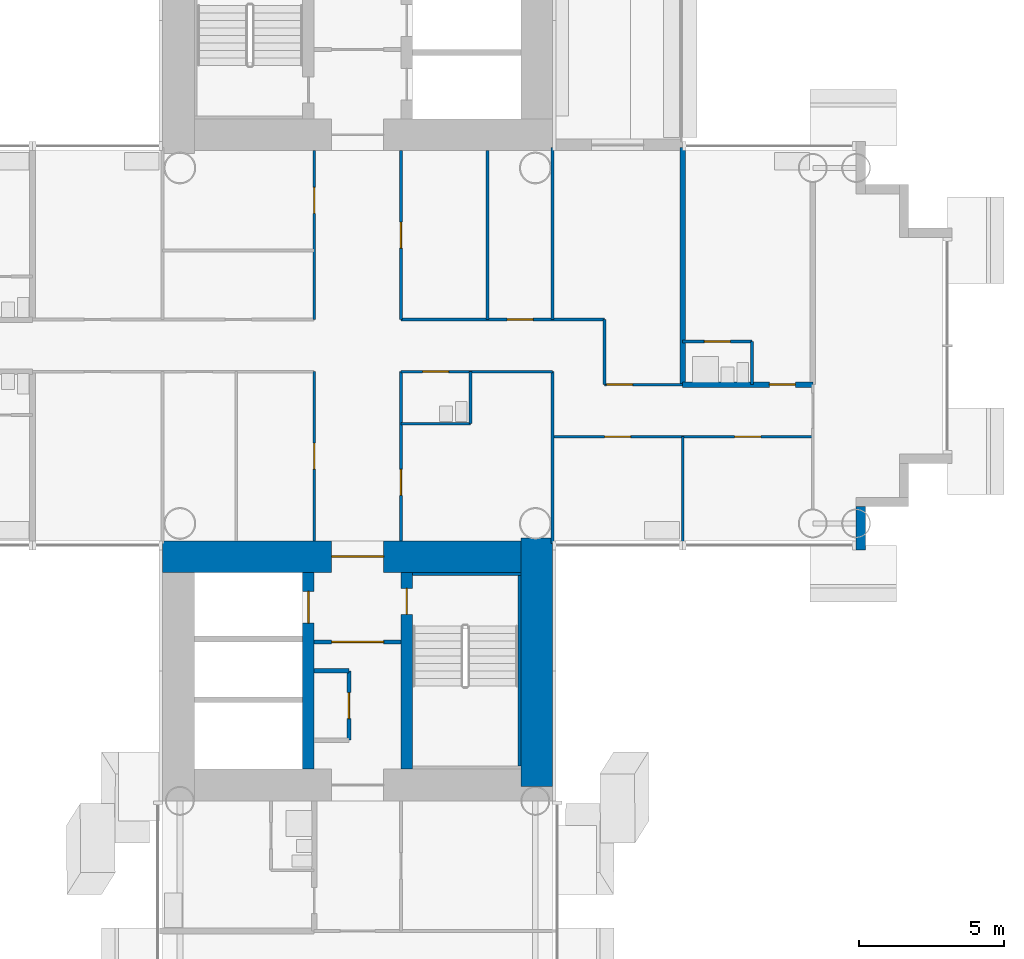
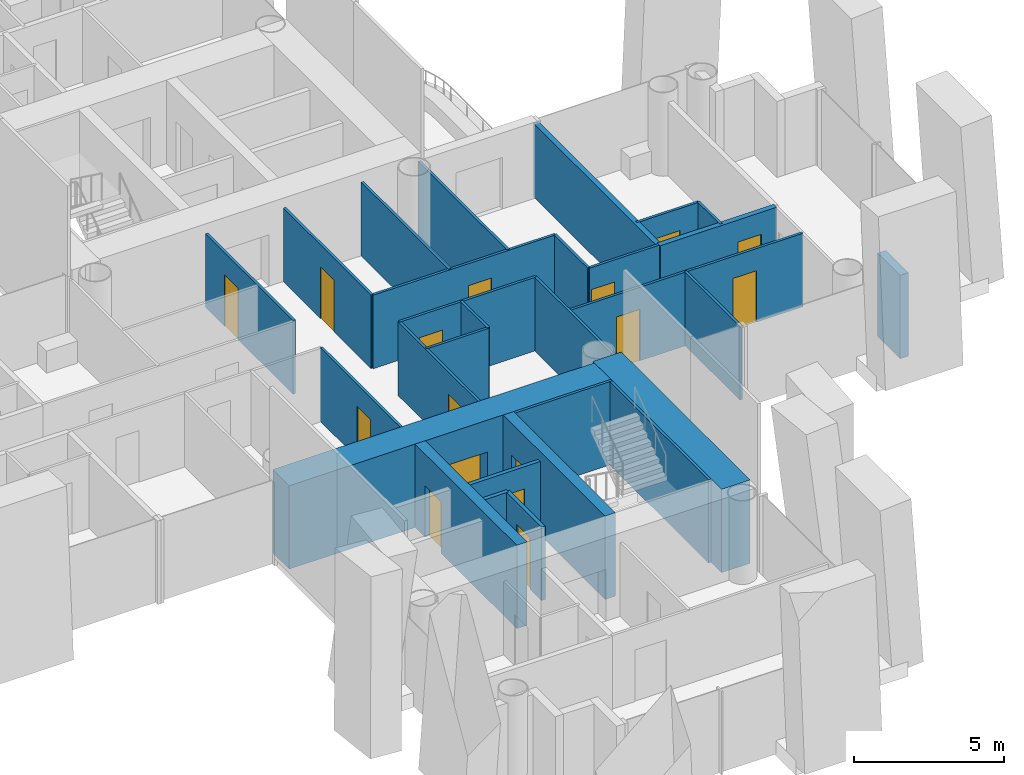
# One storey, part 15 of 24: 29 walls, 16 doors, 16 openings.
"""IFC4 building model written with IfcOpenShell, lengths in metres."""

from ifc_helpers import new_model, si_unit, direction, frame, frame_2d, origin, place, context, subcontext, project, spatial, rectangle, extrude, material, layer, layer_set, type_object, element, fill, save


model = new_model("IFC4")

# Units and contexts
model_context = context("Model", 3, precision=1e-05, world=origin(), true_north=direction((0.0, 1.0)))
body_context = subcontext(model_context, "Body", "Model", "MODEL_VIEW")
ifc_project = project(units=[si_unit("LENGTHUNIT", "METRE"), si_unit("AREAUNIT", "SQUARE_METRE"), si_unit("VOLUMEUNIT", "CUBIC_METRE"), si_unit("PLANEANGLEUNIT", "RADIAN"), si_unit("MASSUNIT", "GRAM", prefix="KILO")], contexts=[model_context])

# Site, building, storey
site_placement = place(None, origin())
site = spatial("IfcSite", under=ifc_project, at=site_placement, CompositionType="ELEMENT")
building_placement = place(site_placement, origin())
building = spatial("IfcBuilding", under=site, at=building_placement, Name="Ipe Terrace Towers", CompositionType="ELEMENT")
storey_placement = place(building_placement, frame((0.0, 0.0, 38.10009765625)))
storey = spatial("IfcBuildingStorey", under=building, at=storey_placement, Name="L09", CompositionType="ELEMENT", Elevation=38.10009765625)

# Wall
ifc_material_1 = material(Name="Concrete C40/50 with buff precast cladding", Category="concrete")
ifc_layer_1 = layer(ifc_material_1, 0.320068359375)
ifc_layer_set_1 = layer_set([ifc_layer_1], Name="BUFF CLADDING WALL 320")
wall_type_1 = type_object("IfcWallType", Name="BUFF CLADDING WALL 320", PredefinedType="STANDARD", material=ifc_layer_set_1)
wall_1_placement = place(storey_placement, frame((53.409912109375, -7.070068359375, -0.300048828125), z_axis=(0.0, 0.0, 1.0), x_axis=(0.0, 1.0, 0.0)))
element("IfcWall", 1, at=wall_1_placement, inside=storey, type_object=wall_type_1, Name="T2-W-L09-08a wall", PredefinedType="STANDARD", context=body_context, shape_type="SweptSolid", body=[
    extrude(rectangle(XDim=1.5, YDim=0.320068359375, at=frame_2d((0.75, 0.0))), origin(), (0.0, 0.0, 1.0), 3.39990234375),
])

# Wall, openings, doors
ifc_material_2 = material(Name="Gypsum board partition", Category="plasterboard")
ifc_layer_2 = layer(ifc_material_2, 0.10009765625)
ifc_layer_set_2 = layer_set([ifc_layer_2], Name="Gypsum board partition 100 mm")
wall_type_2 = type_object("IfcWallType", Name="Gypsum board partition 100 mm", PredefinedType="PARTITIONING", material=ifc_layer_set_2)
wall_2_placement = place(storey_placement, frame((51.75, -3.14990234375, 0.0), z_axis=(0.0, 0.0, 1.0), x_axis=(-1.0, 0.0, 0.0)))
wall_2 = element("IfcWall", 2, at=wall_2_placement, inside=storey, type_object=wall_type_2, Name="Gypsum board partition T2 L09 W04", PredefinedType="PARTITIONING", context=body_context, shape_type="SweptSolid", body=[
    extrude(rectangle(XDim=9.0, YDim=0.10009765625, at=frame_2d((4.5, 0.0))), origin(), (0.0, 0.0, 1.0), 3.0),
])
opening_1_placement = place(wall_2_placement, frame((6.300048828125, 0.0, 0.0)))
opening_1 = element("IfcOpeningElement", 3, at=opening_1_placement, cuts=wall_2, Name="Opening T2-Z1B-19", PredefinedType="OPENING", context=body_context, shape_type="SweptSolid", body=[
    extrude(rectangle(XDim=0.89990234375, YDim=2.10009765625, at=frame_2d((0.449951171875, 1.050048828125))), frame((0.0, 0.06005859375, 0.0), z_axis=(0.0, -1.0, 0.0), x_axis=(1.0, 0.0, 0.0)), (0.0, 0.0, 1.0), 0.1201171875),
])
opening_2_placement = place(wall_2_placement, frame((1.800048828125, 0.0, 0.0)))
opening_2 = element("IfcOpeningElement", 4, at=opening_2_placement, cuts=wall_2, Name="Opening T2-Z1B-20", PredefinedType="OPENING", context=body_context, shape_type="SweptSolid", body=[
    extrude(rectangle(XDim=0.89990234375, YDim=2.10009765625, at=frame_2d((0.449951171875, 1.050048828125))), frame((0.0, 0.06005859375, 0.0), z_axis=(0.0, -1.0, 0.0), x_axis=(1.0, 0.0, 0.0)), (0.0, 0.0, 1.0), 0.1201171875),
])
ifc_material_3 = material(Name="Timber door leaf", Category="wood")
door_type_1 = type_object("IfcDoorType", Name="Lounge door 900 x 2100", OperationType="NOTDEFINED", PredefinedType="DOOR", material=ifc_material_3)
door_1_placement = place(opening_1_placement, origin())
door_1 = element("IfcDoor", 5, at=door_1_placement, inside=storey, type_object=door_type_1, Name="Lounge door T2-Z1B-19", OperationType="SINGLE_SWING_LEFT", OverallHeight=2.10009765625, OverallWidth=0.89990234375, PredefinedType="DOOR", context=body_context, shape_type="SweptSolid", body=[
    extrude(rectangle(XDim=0.89990234375, YDim=2.10009765625, at=frame_2d((0.449951171875, 1.050048828125))), frame((0.0, 0.02490234375, 0.0), z_axis=(0.0, -1.0, 0.0), x_axis=(1.0, 0.0, 0.0)), (0.0, 0.0, 1.0), 0.050048828125),
])
fill(opening_1, door_1)
door_2_placement = place(opening_2_placement, origin())
door_2 = element("IfcDoor", 6, at=door_2_placement, inside=storey, type_object=door_type_1, Name="Lounge door T2-Z1B-20", OperationType="SINGLE_SWING_RIGHT", OverallHeight=2.10009765625, OverallWidth=0.89990234375, PredefinedType="DOOR", context=body_context, shape_type="SweptSolid", body=[
    extrude(rectangle(XDim=0.89990234375, YDim=2.10009765625, at=frame_2d((0.449951171875, 1.050048828125))), frame((0.0, 0.02490234375, 0.0), z_axis=(0.0, -1.0, 0.0), x_axis=(1.0, 0.0, 0.0)), (0.0, 0.0, 1.0), 0.050048828125),
])
fill(opening_2, door_2)

# Wall
wall_3_placement = place(storey_placement, frame((39.89990234375, -2.699951171875, 0.0), z_axis=(0.0, 0.0, 1.0), x_axis=(-1.0, 0.0, 0.0)))
element("IfcWall", 7, at=wall_3_placement, inside=storey, type_object=wall_type_2, Name="Gypsum board partition T2 L09 W05", PredefinedType="PARTITIONING", context=body_context, shape_type="SweptSolid", body=[
    extrude(rectangle(XDim=2.39990234375, YDim=0.10009765625, at=frame_2d((1.199951171875, 0.0))), origin(), (0.0, 0.0, 1.0), 3.0),
])

# Wall, opening, door
wall_4_placement = place(storey_placement, frame((47.25, -1.35009765625, 0.0), z_axis=(0.0, 0.0, 1.0), x_axis=(-1.0, 0.0, 0.0)))
wall_4 = element("IfcWall", 8, at=wall_4_placement, inside=storey, type_object=wall_type_2, Name="Gypsum board partition T2 L09 W07", PredefinedType="PARTITIONING", context=body_context, shape_type="SweptSolid", body=[
    extrude(rectangle(XDim=2.699951171875, YDim=0.10009765625, at=frame_2d((1.35009765625, 0.0))), origin(), (0.0, 0.0, 1.0), 3.0),
])
opening_3_placement = place(wall_4_placement, frame((1.72998046875, 0.0, 0.0)))
opening_3 = element("IfcOpeningElement", 9, at=opening_3_placement, cuts=wall_4, Name="Opening T2-Z1B-16", PredefinedType="OPENING", context=body_context, shape_type="SweptSolid", body=[
    extrude(rectangle(XDim=0.89990234375, YDim=2.10009765625, at=frame_2d((0.449951171875, 1.050048828125))), frame((0.0, 0.06005859375, 0.0), z_axis=(0.0, -1.0, 0.0), x_axis=(1.0, 0.0, 0.0)), (0.0, 0.0, 1.0), 0.1201171875),
])
door_3_placement = place(opening_3_placement, origin())
door_3 = element("IfcDoor", 10, at=door_3_placement, inside=storey, type_object=door_type_1, Name="Lounge door T2-Z1B-16", OperationType="SINGLE_SWING_RIGHT", OverallHeight=2.10009765625, OverallWidth=0.89990234375, PredefinedType="DOOR", context=body_context, shape_type="SweptSolid", body=[
    extrude(rectangle(XDim=0.89990234375, YDim=2.10009765625, at=frame_2d((0.449951171875, 1.050048828125))), frame((0.0, 0.02490234375, 0.0), z_axis=(0.0, -1.0, 0.0), x_axis=(1.0, 0.0, 0.0)), (0.0, 0.0, 1.0), 0.050048828125),
])
fill(opening_3, door_3)

wall_5_placement = place(storey_placement, frame((42.75, -0.89990234375, 0.0), z_axis=(0.0, 0.0, 1.0), x_axis=(-1.0, 0.0, 0.0)))
wall_5 = element("IfcWall", 11, at=wall_5_placement, inside=storey, type_object=wall_type_2, Name="Gypsum board partition T2 L09 W09", PredefinedType="PARTITIONING", context=body_context, shape_type="SweptSolid", body=[
    extrude(rectangle(XDim=5.25, YDim=0.10009765625, at=frame_2d((2.625, 0.0))), origin(), (0.0, 0.0, 1.0), 3.0),
])
opening_4_placement = place(wall_5_placement, frame((3.60009765625, 0.0, 0.0)))
opening_4 = element("IfcOpeningElement", 12, at=opening_4_placement, cuts=wall_5, Name="Opening T2-Z1B-01", PredefinedType="OPENING", context=body_context, shape_type="SweptSolid", body=[
    extrude(rectangle(XDim=0.89990234375, YDim=2.10009765625, at=frame_2d((0.449951171875, 1.050048828125))), frame((0.0, 0.06005859375, 0.0), z_axis=(0.0, -1.0, 0.0), x_axis=(1.0, 0.0, 0.0)), (0.0, 0.0, 1.0), 0.1201171875),
])
ifc_material_4 = material(Name="Timber door leaf", Category="wood")
door_type_2 = type_object("IfcDoorType", Name="Bathroom door 900 x 2100", OperationType="NOTDEFINED", PredefinedType="DOOR", material=ifc_material_4)
door_4_placement = place(opening_4_placement, origin())
door_4 = element("IfcDoor", 13, at=door_4_placement, inside=storey, type_object=door_type_2, Name="Bathroom door T2-Z1B-01", OperationType="SINGLE_SWING_LEFT", OverallHeight=2.10009765625, OverallWidth=0.89990234375, PredefinedType="DOOR", context=body_context, shape_type="SweptSolid", body=[
    extrude(rectangle(XDim=0.89990234375, YDim=2.10009765625, at=frame_2d((0.449951171875, 1.050048828125))), frame((0.0, 0.02490234375, 0.0), z_axis=(0.0, -1.0, 0.0), x_axis=(1.0, 0.0, 0.0)), (0.0, 0.0, 1.0), 0.050048828125),
])
fill(opening_4, door_4)

wall_6_placement = place(storey_placement, frame((49.64990234375, 0.14990234375, 0.0), z_axis=(0.0, 0.0, 1.0), x_axis=(-1.0, 0.0, 0.0)))
wall_6 = element("IfcWall", 14, at=wall_6_placement, inside=storey, type_object=wall_type_2, Name="Gypsum board partition T2 L09 W12", PredefinedType="PARTITIONING", context=body_context, shape_type="SweptSolid", body=[
    extrude(rectangle(XDim=2.39990234375, YDim=0.10009765625, at=frame_2d((1.199951171875, 0.0))), origin(), (0.0, 0.0, 1.0), 3.0),
])
opening_5_placement = place(wall_6_placement, frame((0.75, 0.0, 0.0)))
opening_5 = element("IfcOpeningElement", 15, at=opening_5_placement, cuts=wall_6, Name="Opening T2-Z1B-18", PredefinedType="OPENING", context=body_context, shape_type="SweptSolid", body=[
    extrude(rectangle(XDim=0.89990234375, YDim=2.10009765625, at=frame_2d((0.449951171875, 1.050048828125))), frame((0.0, 0.06005859375, 0.0), z_axis=(0.0, -1.0, 0.0), x_axis=(1.0, 0.0, 0.0)), (0.0, 0.0, 1.0), 0.1201171875),
])
door_5_placement = place(opening_5_placement, origin())
door_5 = element("IfcDoor", 16, at=door_5_placement, inside=storey, type_object=door_type_2, Name="Bathroom door T2-Z1B-18", OperationType="SINGLE_SWING_LEFT", OverallHeight=2.10009765625, OverallWidth=0.89990234375, PredefinedType="DOOR", context=body_context, shape_type="SweptSolid", body=[
    extrude(rectangle(XDim=0.89990234375, YDim=2.10009765625, at=frame_2d((0.449951171875, 1.050048828125))), frame((0.0, 0.02490234375, 0.0), z_axis=(0.0, -1.0, 0.0), x_axis=(1.0, 0.0, 0.0)), (0.0, 0.0, 1.0), 0.050048828125),
])
fill(opening_5, door_5)

wall_7_placement = place(storey_placement, frame((44.550048828125, 0.89990234375, 0.0), z_axis=(0.0, 0.0, 1.0), x_axis=(-1.0, 0.0, 0.0)))
wall_7 = element("IfcWall", 17, at=wall_7_placement, inside=storey, type_object=wall_type_2, Name="Gypsum board partition T2 L09 W13", PredefinedType="PARTITIONING", context=body_context, shape_type="SweptSolid", body=[
    extrude(rectangle(XDim=7.050048828125, YDim=0.10009765625, at=frame_2d((3.52490234375, 0.0))), origin(), (0.0, 0.0, 1.0), 3.0),
])
opening_6_placement = place(wall_7_placement, frame((2.47509765625, 0.0, 0.0)))
opening_6 = element("IfcOpeningElement", 18, at=opening_6_placement, cuts=wall_7, Name="Opening T2-Z1B-08", PredefinedType="OPENING", context=body_context, shape_type="SweptSolid", body=[
    extrude(rectangle(XDim=0.89990234375, YDim=2.10009765625, at=frame_2d((0.449951171875, 1.050048828125))), frame((0.0, 0.06005859375, 0.0), z_axis=(0.0, -1.0, 0.0), x_axis=(1.0, 0.0, 0.0)), (0.0, 0.0, 1.0), 0.1201171875),
])
door_6_placement = place(opening_6_placement, origin())
door_6 = element("IfcDoor", 19, at=door_6_placement, inside=storey, type_object=door_type_1, Name="Lounge door T2-Z1B-08", OperationType="SINGLE_SWING_LEFT", OverallHeight=2.10009765625, OverallWidth=0.89990234375, PredefinedType="DOOR", context=body_context, shape_type="SweptSolid", body=[
    extrude(rectangle(XDim=0.89990234375, YDim=2.10009765625, at=frame_2d((0.449951171875, 1.050048828125))), frame((0.0, 0.02490234375, 0.0), z_axis=(0.0, -1.0, 0.0), x_axis=(1.0, 0.0, 0.0)), (0.0, 0.0, 1.0), 0.050048828125),
])
fill(opening_6, door_6)

# Walls
wall_8_placement = place(storey_placement, frame((49.64990234375, -1.35009765625, 0.0), z_axis=(0.0, 0.0, 1.0), x_axis=(0.0, 1.0, 0.0)))
element("IfcWall", 20, at=wall_8_placement, inside=storey, type_object=wall_type_2, Name="Gypsum board partition T2 L09 W23", PredefinedType="PARTITIONING", context=body_context, shape_type="SweptSolid", body=[
    extrude(rectangle(XDim=1.5, YDim=0.10009765625, at=frame_2d((0.75, 0.0))), origin(), (0.0, 0.0, 1.0), 3.0),
])
wall_9_placement = place(storey_placement, frame((47.25, -6.85009765625, 0.0), z_axis=(0.0, 0.0, 1.0), x_axis=(0.0, 1.0, 0.0)))
element("IfcWall", 21, at=wall_9_placement, inside=storey, type_object=wall_type_2, Name="Gypsum board partition T2 L09 W24", PredefinedType="PARTITIONING", context=body_context, shape_type="SweptSolid", body=[
    extrude(rectangle(XDim=3.7001953125, YDim=0.10009765625, at=frame_2d((1.85009765625, 0.0))), origin(), (0.0, 0.0, 1.0), 3.0),
])
wall_10_placement = place(storey_placement, frame((44.550048828125, -1.35009765625, 0.0), z_axis=(0.0, 0.0, 1.0), x_axis=(0.0, 1.0, 0.0)))
element("IfcWall", 22, at=wall_10_placement, inside=storey, type_object=wall_type_2, Name="Gypsum board partition T2 L09 W26", PredefinedType="PARTITIONING", context=body_context, shape_type="SweptSolid", body=[
    extrude(rectangle(XDim=2.25, YDim=0.10009765625, at=frame_2d((1.125, 0.0))), origin(), (0.0, 0.0, 1.0), 3.0),
])
for number, where, z_axis, x_axis, name in (
    (23, (42.75, -6.85009765625, 0.0), (0.0, 0.0, 1.0), (0.0, 1.0, 0.0), "Gypsum board partition T2 L09 W27"),
    (24, (42.75, 0.89990234375, 0.0), (0.0, 0.0, 1.0), (0.0, 1.0, 0.0), "Gypsum board partition T2 L09 W28"),
):
    element("IfcWall", number, at=place(storey_placement, frame(where, z_axis=z_axis, x_axis=x_axis)), inside=storey, type_object=wall_type_2, Name=name, PredefinedType="PARTITIONING", context=body_context, shape_type="SweptSolid", body=[
        extrude(rectangle(XDim=5.9501953125, YDim=0.10009765625, at=frame_2d((2.97509765625, 0.0))), origin(), (0.0, 0.0, 1.0), 3.0),
    ])
wall_11_placement = place(storey_placement, frame((40.5, 0.89990234375, 0.0), z_axis=(0.0, 0.0, 1.0), x_axis=(0.0, 1.0, 0.0)))
element("IfcWall", 25, at=wall_11_placement, inside=storey, type_object=wall_type_2, Name="Gypsum board partition T2 L09 W29", PredefinedType="PARTITIONING", context=body_context, shape_type="SweptSolid", body=[
    extrude(rectangle(XDim=5.85009765625, YDim=0.10009765625, at=frame_2d((2.925048828125, 0.0))), origin(), (0.0, 0.0, 1.0), 3.0),
])
wall_12_placement = place(storey_placement, frame((39.89990234375, -2.699951171875, 0.0), z_axis=(0.0, 0.0, 1.0), x_axis=(0.0, 1.0, 0.0)))
element("IfcWall", 26, at=wall_12_placement, inside=storey, type_object=wall_type_2, Name="Gypsum board partition T2 L09 W30", PredefinedType="PARTITIONING", context=body_context, shape_type="SweptSolid", body=[
    extrude(rectangle(XDim=1.800048828125, YDim=0.10009765625, at=frame_2d((0.89990234375, 0.0))), origin(), (0.0, 0.0, 1.0), 3.0),
])

# Wall, opening, door
wall_13_placement = place(storey_placement, frame((37.5, -6.75, 0.0), z_axis=(0.0, 0.0, 1.0), x_axis=(0.0, 1.0, 0.0)))
wall_13 = element("IfcWall", 27, at=wall_13_placement, inside=storey, type_object=wall_type_2, Name="Gypsum board partition T2 L09 W33", PredefinedType="PARTITIONING", context=body_context, shape_type="SweptSolid", body=[
    extrude(rectangle(XDim=5.85009765625, YDim=0.10009765625, at=frame_2d((2.925048828125, 0.0))), origin(), (0.0, 0.0, 1.0), 3.0),
])
opening_7_placement = place(wall_13_placement, frame((1.574951171875, 0.0, 0.0)))
opening_7 = element("IfcOpeningElement", 28, at=opening_7_placement, cuts=wall_13, Name="Opening T2-Z1B-06", PredefinedType="OPENING", context=body_context, shape_type="SweptSolid", body=[
    extrude(rectangle(XDim=0.89990234375, YDim=2.10009765625, at=frame_2d((0.449951171875, 1.050048828125))), frame((0.0, 0.06005859375, 0.0), z_axis=(0.0, -1.0, 0.0), x_axis=(1.0, 0.0, 0.0)), (0.0, 0.0, 1.0), 0.1201171875),
])
door_7_placement = place(opening_7_placement, origin())
door_7 = element("IfcDoor", 29, at=door_7_placement, inside=storey, type_object=door_type_1, Name="Lounge door T2-Z1B-06", OperationType="SINGLE_SWING_LEFT", OverallHeight=2.10009765625, OverallWidth=0.89990234375, PredefinedType="DOOR", context=body_context, shape_type="SweptSolid", body=[
    extrude(rectangle(XDim=0.89990234375, YDim=2.10009765625, at=frame_2d((0.449951171875, 1.050048828125))), frame((0.0, 0.02490234375, 0.0), z_axis=(0.0, -1.0, 0.0), x_axis=(1.0, 0.0, 0.0)), (0.0, 0.0, 1.0), 0.050048828125),
])
fill(opening_7, door_7)

wall_14_placement = place(storey_placement, frame((37.5, 0.89990234375, 0.0), z_axis=(0.0, 0.0, 1.0), x_axis=(0.0, 1.0, 0.0)))
wall_14 = element("IfcWall", 30, at=wall_14_placement, inside=storey, type_object=wall_type_2, Name="Gypsum board partition T2 L09 W34", PredefinedType="PARTITIONING", context=body_context, shape_type="SweptSolid", body=[
    extrude(rectangle(XDim=5.85009765625, YDim=0.10009765625, at=frame_2d((2.925048828125, 0.0))), origin(), (0.0, 0.0, 1.0), 3.0),
])
opening_8_placement = place(wall_14_placement, frame((2.47509765625, 0.0, 0.0)))
opening_8 = element("IfcOpeningElement", 31, at=opening_8_placement, cuts=wall_14, Name="Opening T2-Z1B-07", PredefinedType="OPENING", context=body_context, shape_type="SweptSolid", body=[
    extrude(rectangle(XDim=0.89990234375, YDim=2.10009765625, at=frame_2d((0.449951171875, 1.050048828125))), frame((0.0, 0.06005859375, 0.0), z_axis=(0.0, -1.0, 0.0), x_axis=(1.0, 0.0, 0.0)), (0.0, 0.0, 1.0), 0.1201171875),
])
door_8_placement = place(opening_8_placement, origin())
door_8 = element("IfcDoor", 32, at=door_8_placement, inside=storey, type_object=door_type_1, Name="Lounge door T2-Z1B-07", OperationType="SINGLE_SWING_RIGHT", OverallHeight=2.10009765625, OverallWidth=0.89990234375, PredefinedType="DOOR", context=body_context, shape_type="SweptSolid", body=[
    extrude(rectangle(XDim=0.89990234375, YDim=2.10009765625, at=frame_2d((0.449951171875, 1.050048828125))), frame((0.0, 0.02490234375, 0.0), z_axis=(0.0, -1.0, 0.0), x_axis=(1.0, 0.0, 0.0)), (0.0, 0.0, 1.0), 0.050048828125),
])
fill(opening_8, door_8)

wall_15_placement = place(storey_placement, frame((34.5, -6.75, 0.0), z_axis=(0.0, 0.0, 1.0), x_axis=(0.0, 1.0, 0.0)))
wall_15 = element("IfcWall", 33, at=wall_15_placement, inside=storey, type_object=wall_type_2, Name="Gypsum board partition T2 L09 W37", PredefinedType="PARTITIONING", context=body_context, shape_type="SweptSolid", body=[
    extrude(rectangle(XDim=5.85009765625, YDim=0.10009765625, at=frame_2d((2.925048828125, 0.0))), origin(), (0.0, 0.0, 1.0), 3.0),
])
opening_9_placement = place(wall_15_placement, frame((2.47509765625, 0.0, 0.0)))
opening_9 = element("IfcOpeningElement", 34, at=opening_9_placement, cuts=wall_15, Name="Opening T2-Z1B-04", PredefinedType="OPENING", context=body_context, shape_type="SweptSolid", body=[
    extrude(rectangle(XDim=0.89990234375, YDim=2.10009765625, at=frame_2d((0.449951171875, 1.050048828125))), frame((0.0, 0.06005859375, 0.0), z_axis=(0.0, -1.0, 0.0), x_axis=(1.0, 0.0, 0.0)), (0.0, 0.0, 1.0), 0.1201171875),
])
door_9_placement = place(opening_9_placement, origin())
door_9 = element("IfcDoor", 35, at=door_9_placement, inside=storey, type_object=door_type_1, Name="Lounge door T2-Z1B-04", OperationType="SINGLE_SWING_RIGHT", OverallHeight=2.10009765625, OverallWidth=0.89990234375, PredefinedType="DOOR", context=body_context, shape_type="SweptSolid", body=[
    extrude(rectangle(XDim=0.89990234375, YDim=2.10009765625, at=frame_2d((0.449951171875, 1.050048828125))), frame((0.0, 0.02490234375, 0.0), z_axis=(0.0, -1.0, 0.0), x_axis=(1.0, 0.0, 0.0)), (0.0, 0.0, 1.0), 0.050048828125),
])
fill(opening_9, door_9)

wall_16_placement = place(storey_placement, frame((34.5, 0.89990234375, 0.0), z_axis=(0.0, 0.0, 1.0), x_axis=(0.0, 1.0, 0.0)))
wall_16 = element("IfcWall", 36, at=wall_16_placement, inside=storey, type_object=wall_type_2, Name="Gypsum board partition T2 L09 W38", PredefinedType="PARTITIONING", context=body_context, shape_type="SweptSolid", body=[
    extrude(rectangle(XDim=5.85009765625, YDim=0.10009765625, at=frame_2d((2.925048828125, 0.0))), origin(), (0.0, 0.0, 1.0), 3.0),
])
opening_10_placement = place(wall_16_placement, frame((3.675048828125, 0.0, 0.0)))
opening_10 = element("IfcOpeningElement", 37, at=opening_10_placement, cuts=wall_16, Name="Opening T2-Z1B-03", PredefinedType="OPENING", context=body_context, shape_type="SweptSolid", body=[
    extrude(rectangle(XDim=0.89990234375, YDim=2.10009765625, at=frame_2d((0.449951171875, 1.050048828125))), frame((0.0, 0.06005859375, 0.0), z_axis=(0.0, -1.0, 0.0), x_axis=(1.0, 0.0, 0.0)), (0.0, 0.0, 1.0), 0.1201171875),
])
door_10_placement = place(opening_10_placement, origin())
door_10 = element("IfcDoor", 38, at=door_10_placement, inside=storey, type_object=door_type_1, Name="Lounge door T2-Z1B-03", OperationType="SINGLE_SWING_LEFT", OverallHeight=2.10009765625, OverallWidth=0.89990234375, PredefinedType="DOOR", context=body_context, shape_type="SweptSolid", body=[
    extrude(rectangle(XDim=0.89990234375, YDim=2.10009765625, at=frame_2d((0.449951171875, 1.050048828125))), frame((0.0, 0.02490234375, 0.0), z_axis=(0.0, -1.0, 0.0), x_axis=(1.0, 0.0, 0.0)), (0.0, 0.0, 1.0), 0.050048828125),
])
fill(opening_10, door_10)

ifc_material_5 = material(Name="Gypsum board partition", Category="plasterboard")
ifc_layer_3 = layer(ifc_material_5, 0.14990234375)
ifc_layer_set_3 = layer_set([ifc_layer_3], Name="Gypsum board partition 150 mm")
wall_type_3 = type_object("IfcWallType", Name="Gypsum board partition 150 mm", PredefinedType="PARTITIONING", material=ifc_layer_set_3)
wall_17_placement = place(storey_placement, frame((34.5, -10.25, 0.0), z_axis=(0.0, 0.0, 1.0), x_axis=(1.0, 0.0, 0.0)))
wall_17 = element("IfcWall", 39, at=wall_17_placement, inside=storey, type_object=wall_type_3, Name="Gypsum board partition T2 L09 t2c2-lobby-wall", PredefinedType="PARTITIONING", context=body_context, shape_type="SweptSolid", body=[
    extrude(rectangle(XDim=3.0, YDim=0.14990234375, at=frame_2d((1.5, 0.0))), origin(), (0.0, 0.0, 1.0), 3.0),
])
opening_11_placement = place(wall_17_placement, frame((0.60009765625, 0.0, 0.0)))
opening_11 = element("IfcOpeningElement", 40, at=opening_11_placement, cuts=wall_17, Name="Opening T2C2-VD", PredefinedType="OPENING", context=body_context, shape_type="SweptSolid", body=[
    extrude(rectangle(XDim=1.800048828125, YDim=2.10009765625, at=frame_2d((0.89990234375, 1.050048828125))), frame((0.0, 0.0849609375, 0.0), z_axis=(0.0, -1.0, 0.0), x_axis=(1.0, 0.0, 0.0)), (0.0, 0.0, 1.0), 0.169921875),
])
ifc_material_6 = material(Name="Fire-rated timber door leaf", Category="wood")
door_type_3 = type_object("IfcDoorType", Name="Lobby door 1800 x 2100 FD60", OperationType="NOTDEFINED", PredefinedType="DOOR", material=ifc_material_6)
door_11_placement = place(opening_11_placement, origin())
door_11 = element("IfcDoor", 41, at=door_11_placement, inside=storey, type_object=door_type_3, Name="Lobby door T2C2-VD", OperationType="SINGLE_SWING_LEFT", OverallHeight=2.10009765625, OverallWidth=1.800048828125, PredefinedType="DOOR", context=body_context, shape_type="SweptSolid", body=[
    extrude(rectangle(XDim=1.800048828125, YDim=2.10009765625, at=frame_2d((0.89990234375, 1.050048828125))), frame((0.0, 0.02490234375, 0.0), z_axis=(0.0, -1.0, 0.0), x_axis=(1.0, 0.0, 0.0)), (0.0, 0.0, 1.0), 0.050048828125),
])
fill(opening_11, door_11)

wall_18_placement = place(storey_placement, frame((35.699951171875, -11.25, 0.0), z_axis=(0.0, 0.0, 1.0), x_axis=(0.0, -1.0, 0.0)))
wall_18 = element("IfcWall", 42, at=wall_18_placement, inside=storey, type_object=wall_type_3, Name="Gypsum board partition T2 L09 t2c2-cup-s-f", PredefinedType="PARTITIONING", context=body_context, shape_type="SweptSolid", body=[
    extrude(rectangle(XDim=2.39990234375, YDim=0.14990234375, at=frame_2d((1.199951171875, 0.0))), origin(), (0.0, 0.0, 1.0), 3.0),
])
opening_12_placement = place(wall_18_placement, frame((0.75, 0.0, 0.0)))
opening_12 = element("IfcOpeningElement", 43, at=opening_12_placement, cuts=wall_18, Name="Opening T2C2-SC", PredefinedType="OPENING", context=body_context, shape_type="SweptSolid", body=[
    extrude(rectangle(XDim=0.89990234375, YDim=2.10009765625, at=frame_2d((0.449951171875, 1.050048828125))), frame((0.0, 0.0849609375, 0.0), z_axis=(0.0, -1.0, 0.0), x_axis=(1.0, 0.0, 0.0)), (0.0, 0.0, 1.0), 0.169921875),
])
ifc_material_7 = material(Name="Fire-rated timber door leaf", Category="wood")
door_type_4 = type_object("IfcDoorType", Name="Service door 900 x 2100 FD30S", OperationType="NOTDEFINED", PredefinedType="DOOR", material=ifc_material_7)
door_12_placement = place(opening_12_placement, origin())
door_12 = element("IfcDoor", 44, at=door_12_placement, inside=storey, type_object=door_type_4, Name="Service door T2C2-SC", OperationType="SINGLE_SWING_LEFT", OverallHeight=2.10009765625, OverallWidth=0.89990234375, PredefinedType="DOOR", context=body_context, shape_type="SweptSolid", body=[
    extrude(rectangle(XDim=0.89990234375, YDim=2.10009765625, at=frame_2d((0.449951171875, 1.050048828125))), frame((0.0, 0.02490234375, 0.0), z_axis=(0.0, -1.0, 0.0), x_axis=(1.0, 0.0, 0.0)), (0.0, 0.0, 1.0), 0.050048828125),
])
fill(opening_12, door_12)

# Wall
wall_19_placement = place(storey_placement, frame((35.699951171875, -11.25, 0.0), z_axis=(0.0, 0.0, 1.0), x_axis=(-1.0, 0.0, 0.0)))
element("IfcWall", 45, at=wall_19_placement, inside=storey, type_object=wall_type_3, Name="Gypsum board partition T2 L09 t2c2-cup-s-a", PredefinedType="PARTITIONING", context=body_context, shape_type="SweptSolid", body=[
    extrude(rectangle(XDim=1.199951171875, YDim=0.14990234375, at=frame_2d((0.60009765625, 0.0))), origin(), (0.0, 0.0, 1.0), 3.0),
])

# Wall, opening, door
ifc_material_8 = material(Name="Gypsum board party wall", Category="plasterboard")
ifc_layer_4 = layer(ifc_material_8, 0.199951171875)
ifc_layer_set_4 = layer_set([ifc_layer_4], Name="Gypsum board party wall 200 mm")
wall_type_4 = type_object("IfcWallType", Name="Gypsum board party wall 200 mm", PredefinedType="SOLIDWALL", material=ifc_layer_set_4)
wall_20_placement = place(storey_placement, frame((51.75, -1.35009765625, 0.0), z_axis=(0.0, 0.0, 1.0), x_axis=(-1.0, 0.0, 0.0)))
wall_20 = element("IfcWall", 46, at=wall_20_placement, inside=storey, type_object=wall_type_4, Name="Gypsum board party wall T2 L09 W08", PredefinedType="SOLIDWALL", context=body_context, shape_type="SweptSolid", body=[
    extrude(rectangle(XDim=4.5, YDim=0.199951171875, at=frame_2d((2.25, 0.0))), origin(), (0.0, 0.0, 1.0), 3.0),
])
opening_13_placement = place(wall_20_placement, frame((0.60009765625, 0.0, 0.0)))
opening_13 = element("IfcOpeningElement", 47, at=opening_13_placement, cuts=wall_20, Name="Opening T2-Z1B-17", PredefinedType="OPENING", context=body_context, shape_type="SweptSolid", body=[
    extrude(rectangle(XDim=0.89990234375, YDim=2.10009765625, at=frame_2d((0.449951171875, 1.050048828125))), frame((0.0, 0.10986328125, 0.0), z_axis=(0.0, -1.0, 0.0), x_axis=(1.0, 0.0, 0.0)), (0.0, 0.0, 1.0), 0.219970703125),
])
ifc_material_9 = material(Name="Fire-rated timber door leaf", Category="wood")
door_type_5 = type_object("IfcDoorType", Name="Flat entrance door 900 x 2100 FD30S", OperationType="NOTDEFINED", PredefinedType="DOOR", material=ifc_material_9)
door_13_placement = place(opening_13_placement, origin())
door_13 = element("IfcDoor", 48, at=door_13_placement, inside=storey, type_object=door_type_5, Name="Flat entrance door T2-Z1B-17", OperationType="SINGLE_SWING_LEFT", OverallHeight=2.10009765625, OverallWidth=0.89990234375, PredefinedType="DOOR", context=body_context, shape_type="SweptSolid", body=[
    extrude(rectangle(XDim=0.89990234375, YDim=2.10009765625, at=frame_2d((0.449951171875, 1.050048828125))), frame((0.0, 0.02490234375, 0.0), z_axis=(0.0, -1.0, 0.0), x_axis=(1.0, 0.0, 0.0)), (0.0, 0.0, 1.0), 0.050048828125),
])
fill(opening_13, door_13)

# Walls
wall_21_placement = place(storey_placement, frame((47.25, -1.35009765625, 0.0), z_axis=(0.0, 0.0, 1.0), x_axis=(0.0, 1.0, 0.0)))
element("IfcWall", 49, at=wall_21_placement, inside=storey, type_object=wall_type_4, Name="Gypsum board party wall T2 L09 W25", PredefinedType="SOLIDWALL", context=body_context, shape_type="SweptSolid", body=[
    extrude(rectangle(XDim=8.2001953125, YDim=0.199951171875, at=frame_2d((4.10009765625, 0.0))), origin(), (0.0, 0.0, 1.0), 3.0),
])
ifc_material_10 = material(Name="Concrete C60/75", Category="concrete")
ifc_layer_5 = layer(ifc_material_10, 0.10009765625)
ifc_layer_set_5 = layer_set([ifc_layer_5], Name="RW100 CORE INFILL WALL 100 C60-75")
wall_type_5 = type_object("IfcWallType", Name="RW100 CORE INFILL WALL 100 C60-75", PredefinedType="SHEAR", material=ifc_layer_set_5)
wall_22_placement = place(storey_placement, frame((41.60009765625, -7.949951171875, 0.0), z_axis=(0.0, 0.0, 1.0), x_axis=(0.0, -1.0, 0.0)))
element("IfcWall", 50, at=wall_22_placement, inside=storey, type_object=wall_type_5, Name="Core infill wall T2-C2-back", PredefinedType="SHEAR", context=body_context, shape_type="SweptSolid", body=[
    extrude(rectangle(XDim=6.60009765625, YDim=0.10009765625, at=frame_2d((3.300048828125, 0.0))), origin(), (0.0, 0.0, 1.0), 3.39990234375),
])
wall_23_placement = place(storey_placement, frame((37.89990234375, -7.89990234375, 0.0), z_axis=(0.0, 0.0, 1.0), x_axis=(1.0, 0.0, 0.0)))
element("IfcWall", 51, at=wall_23_placement, inside=storey, type_object=wall_type_5, Name="Core infill wall T2-C2-near", PredefinedType="SHEAR", context=body_context, shape_type="SweptSolid", body=[
    extrude(rectangle(XDim=3.75, YDim=0.10009765625, at=frame_2d((1.875, 0.0))), origin(), (0.0, 0.0, 1.0), 3.39990234375),
])
ifc_material_11 = material(Name="Concrete C60/75", Category="concrete")
ifc_layer_6 = layer(ifc_material_11, 1.10009765625)
ifc_layer_set_6 = layer_set([ifc_layer_6], Name="RW1100 CORE WALL 1100 C60-75")
wall_type_6 = type_object("IfcWallType", Name="RW1100 CORE WALL 1100 C60-75", PredefinedType="SHEAR", material=ifc_layer_set_6)
wall_24_placement = place(storey_placement, frame((42.199951171875, -15.248046875, 0.0), z_axis=(0.0, 0.0, 1.0), x_axis=(0.0, 1.0, 0.0)))
element("IfcWall", 52, at=wall_24_placement, inside=storey, type_object=wall_type_6, Name="Core wall T2-C2-Z1-W02", PredefinedType="SHEAR", context=body_context, shape_type="SweptSolid", body=[
    extrude(rectangle(XDim=8.595947265625, YDim=1.10009765625, at=frame_2d((4.2978515625, 0.0))), origin(), (0.0, 0.0, 1.0), 3.39990234375),
])

# Wall, opening, door
wall_25_placement = place(storey_placement, frame((41.64990234375, -7.300048828125, 0.0), z_axis=(0.0, 0.0, 1.0), x_axis=(-1.0, 0.0, 0.0)))
wall_25 = element("IfcWall", 53, at=wall_25_placement, inside=storey, type_object=wall_type_6, Name="Core wall T2-C2-Z1-W03", PredefinedType="SHEAR", context=body_context, shape_type="SweptSolid", body=[
    extrude(rectangle(XDim=12.39990234375, YDim=1.10009765625, at=frame_2d((6.199951171875, 0.0))), origin(), (0.0, 0.0, 1.0), 3.39990234375),
])
opening_14_placement = place(wall_25_placement, frame((4.75, 0.0, 0.0)))
opening_14 = element("IfcOpeningElement", 54, at=opening_14_placement, cuts=wall_25, Name="Opening T2C2-ND", PredefinedType="OPENING", context=body_context, shape_type="SweptSolid", body=[
    extrude(rectangle(XDim=1.800048828125, YDim=2.10009765625, at=frame_2d((0.89990234375, 1.050048828125))), frame((0.0, 0.56005859375, 0.0), z_axis=(0.0, -1.0, 0.0), x_axis=(1.0, 0.0, 0.0)), (0.0, 0.0, 1.0), 1.1201171875),
])
ifc_material_12 = material(Name="Fire-rated timber door leaf", Category="wood")
door_type_6 = type_object("IfcDoorType", Name="Fire door 1800 x 2100 FD30S", OperationType="NOTDEFINED", PredefinedType="DOOR", material=ifc_material_12)
door_14_placement = place(opening_14_placement, origin())
door_14 = element("IfcDoor", 55, at=door_14_placement, inside=storey, type_object=door_type_6, Name="Fire door T2C2-ND", OperationType="SINGLE_SWING_LEFT", OverallHeight=2.10009765625, OverallWidth=1.800048828125, PredefinedType="DOOR", context=body_context, shape_type="SweptSolid", body=[
    extrude(rectangle(XDim=1.800048828125, YDim=2.10009765625, at=frame_2d((0.89990234375, 1.050048828125))), frame((0.0, 0.02490234375, 0.0), z_axis=(0.0, -1.0, 0.0), x_axis=(1.0, 0.0, 0.0)), (0.0, 0.0, 1.0), 0.050048828125),
])
fill(opening_14, door_14)

ifc_material_13 = material(Name="Concrete C60/75", Category="concrete")
ifc_layer_7 = layer(ifc_material_13, 0.39990234375)
ifc_layer_set_7 = layer_set([ifc_layer_7], Name="RW400 CORE SPINE WALL 400 C60-75")
wall_type_7 = type_object("IfcWallType", Name="RW400 CORE SPINE WALL 400 C60-75", PredefinedType="SHEAR", material=ifc_layer_set_7)
wall_26_placement = place(storey_placement, frame((34.300048828125, -14.64990234375, 0.0), z_axis=(0.0, 0.0, 1.0), x_axis=(0.0, 1.0, 0.0)))
wall_26 = element("IfcWall", 56, at=wall_26_placement, inside=storey, type_object=wall_type_7, Name="Core spine wall T2-C2-Z1-SW1", PredefinedType="SHEAR", context=body_context, shape_type="SweptSolid", body=[
    extrude(rectangle(XDim=6.7998046875, YDim=0.39990234375, at=frame_2d((3.39990234375, 0.0))), origin(), (0.0, 0.0, 1.0), 3.39990234375),
])
opening_15_placement = place(wall_26_placement, frame((5.050048828125, 0.0, 0.0)))
opening_15 = element("IfcOpeningElement", 57, at=opening_15_placement, cuts=wall_26, Name="Opening T2C2-LD1", PredefinedType="OPENING", context=body_context, shape_type="SweptSolid", body=[
    extrude(rectangle(XDim=1.10009765625, YDim=2.10009765625, at=frame_2d((0.550048828125, 1.050048828125))), frame((0.0, 0.2099609375, 0.0), z_axis=(0.0, -1.0, 0.0), x_axis=(1.0, 0.0, 0.0)), (0.0, 0.0, 1.0), 0.419921875),
])
ifc_material_14 = material(Name="Fire-rated timber door leaf", Category="wood")
door_type_7 = type_object("IfcDoorType", Name="Sliding door 1100 x 2100 FD60", OperationType="SLIDING_TO_LEFT", PredefinedType="DOOR", material=ifc_material_14)
door_15_placement = place(opening_15_placement, origin())
door_15 = element("IfcDoor", 58, at=door_15_placement, inside=storey, type_object=door_type_7, Name="Sliding door T2C2-LD1", OperationType="SLIDING_TO_LEFT", OverallHeight=2.10009765625, OverallWidth=1.10009765625, PredefinedType="DOOR", context=body_context, shape_type="SweptSolid", body=[
    extrude(rectangle(XDim=1.10009765625, YDim=2.10009765625, at=frame_2d((0.550048828125, 1.050048828125))), frame((0.0, 0.02490234375, 0.0), z_axis=(0.0, -1.0, 0.0), x_axis=(1.0, 0.0, 0.0)), (0.0, 0.0, 1.0), 0.050048828125),
])
fill(opening_15, door_15)

wall_27_placement = place(storey_placement, frame((37.699951171875, -14.64990234375, 0.0), z_axis=(0.0, 0.0, 1.0), x_axis=(0.0, 1.0, 0.0)))
wall_27 = element("IfcWall", 59, at=wall_27_placement, inside=storey, type_object=wall_type_7, Name="Core spine wall T2-C2-Z1-SW2", PredefinedType="SHEAR", context=body_context, shape_type="SweptSolid", body=[
    extrude(rectangle(XDim=6.7998046875, YDim=0.39990234375, at=frame_2d((3.39990234375, 0.0))), origin(), (0.0, 0.0, 1.0), 3.39990234375),
])
opening_16_placement = place(wall_27_placement, frame((5.35009765625, 0.0, 0.0)))
opening_16 = element("IfcOpeningElement", 60, at=opening_16_placement, cuts=wall_27, Name="Opening T2C2-SD", PredefinedType="OPENING", context=body_context, shape_type="SweptSolid", body=[
    extrude(rectangle(XDim=0.89990234375, YDim=2.10009765625, at=frame_2d((0.449951171875, 1.050048828125))), frame((0.0, 0.2099609375, 0.0), z_axis=(0.0, -1.0, 0.0), x_axis=(1.0, 0.0, 0.0)), (0.0, 0.0, 1.0), 0.419921875),
])
ifc_material_15 = material(Name="Fire-rated timber door leaf", Category="wood")
door_type_8 = type_object("IfcDoorType", Name="Stair door 900 x 2100 FD60", OperationType="NOTDEFINED", PredefinedType="DOOR", material=ifc_material_15)
door_16_placement = place(opening_16_placement, origin())
door_16 = element("IfcDoor", 61, at=door_16_placement, inside=storey, type_object=door_type_8, Name="Stair door T2C2-SD", OperationType="SINGLE_SWING_RIGHT", OverallHeight=2.10009765625, OverallWidth=0.89990234375, PredefinedType="DOOR", context=body_context, shape_type="SweptSolid", body=[
    extrude(rectangle(XDim=0.89990234375, YDim=2.10009765625, at=frame_2d((0.449951171875, 1.050048828125))), frame((0.0, 0.02490234375, 0.0), z_axis=(0.0, -1.0, 0.0), x_axis=(1.0, 0.0, 0.0)), (0.0, 0.0, 1.0), 0.050048828125),
])
fill(opening_16, door_16)

save(model, "model.ifc")
